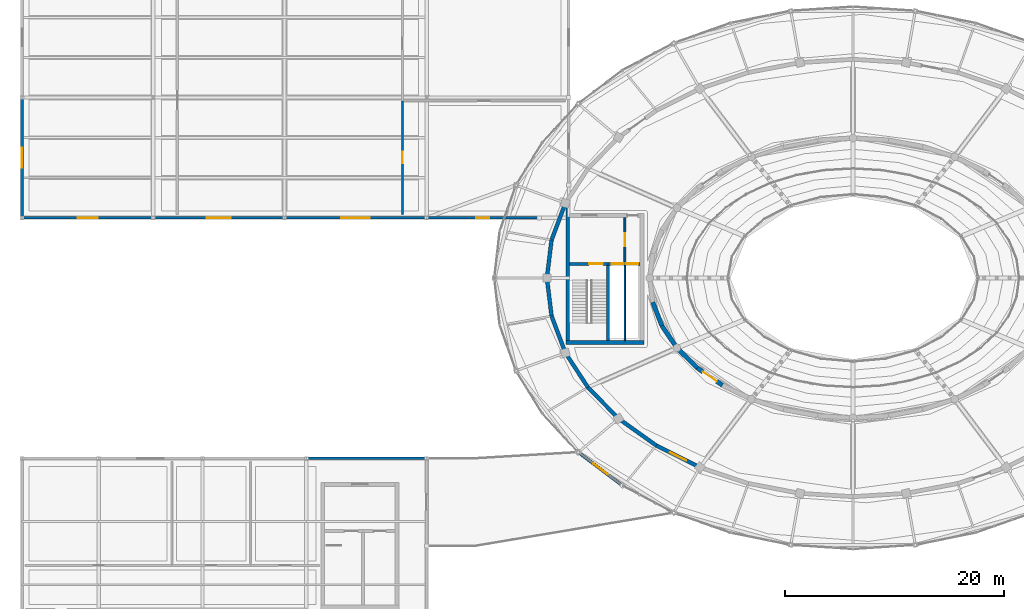
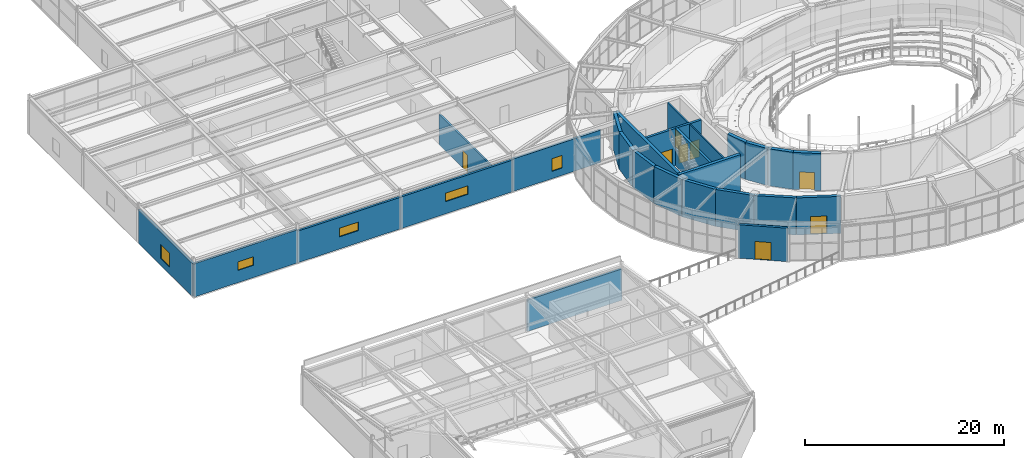
# One storey, part 88 of 108: 27 walls, 8 doors, 5 windows, 13 openings.
"""IFC4 building model written with IfcOpenShell, lengths in metres."""

import ifcopenshell
import ifcopenshell.guid

model = None  # the IFC model being written
_history = None  # IfcOwnerHistory: only IFC2X3 demands one
_inside = {}  # id of a spatial element -> (the spatial element, [elements in it])
_under = {}  # id of a project, library or spatial element -> (it, [spatial elements below it])
_declared = {}  # id of a project -> (the project, [libraries it declares])
_typed = {}  # id of a type object -> (the type object, [elements of that type])
_made_of = {}  # id of a material, layer set ... -> (it, [elements and type objects made of it])


def new_model(schema):
    """Start an empty IFC model of exactly this schema.

    Asked for "IFC4X3", IfcOpenShell would pick the latest addendum, in which some entities
    have other attributes; the version numbers below select the first issue.
    IFC2X3 requires an IfcOwnerHistory on every rooted entity: one is made here for all.
    """
    global model, _history
    if schema == "IFC4X3":
        model = ifcopenshell.file(schema_version=(4, 3, 0, 0))
    else:
        model = ifcopenshell.file(schema=schema)
    _inside.clear()
    _under.clear()
    _declared.clear()
    _typed.clear()
    _made_of.clear()
    _history = None
    if model.schema == "IFC2X3":
        org = make("IfcOrganization", Name="unknown")
        user = make(
            "IfcPersonAndOrganization",
            ThePerson=make("IfcPerson", FamilyName="unknown"),
            TheOrganization=org,
        )
        app = make(
            "IfcApplication",
            ApplicationDeveloper=org,
            Version="unknown",
            ApplicationFullName="unknown",
            ApplicationIdentifier="unknown",
        )
        _history = make(
            "IfcOwnerHistory",
            OwningUser=user,
            OwningApplication=app,
            ChangeAction="ADDED",
            CreationDate=0,
        )
    return model


def make(cls, **values):
    """One entity of the class cls with the attributes given. An attribute that is None is left unset."""
    return model.create_entity(
        cls, **{name: value for name, value in values.items() if value is not None}
    )


def rooted(cls, **values):
    """An entity with a GlobalId (a new one), such as an element, a storey or a relation."""
    return make(cls, GlobalId=ifcopenshell.guid.new(), OwnerHistory=_history, **values)


def si_unit(unit_type, name, prefix=None):
    """IfcSIUnit, for example si_unit("LENGTHUNIT", "METRE", prefix="MILLI")."""
    return make("IfcSIUnit", UnitType=unit_type, Prefix=prefix, Name=name)


def assignment(units):
    """IfcUnitAssignment: the units of a project."""
    return None if units is None else make("IfcUnitAssignment", Units=units)


def point(xyz):
    """IfcCartesianPoint."""
    return None if xyz is None else make("IfcCartesianPoint", Coordinates=xyz)


def direction(xyz):
    """IfcDirection."""
    return None if xyz is None else make("IfcDirection", DirectionRatios=xyz)


def frame(location, z_axis=None, x_axis=None):
    """IfcAxis2Placement3D, a coordinate frame: its origin and axes. An axis left out is left unset."""
    return make(
        "IfcAxis2Placement3D",
        Location=point(location),
        Axis=direction(z_axis),
        RefDirection=direction(x_axis),
    )


def frame_2d(location, x_axis=None):
    """IfcAxis2Placement2D, a coordinate frame in the plane: its origin and x axis."""
    return make(
        "IfcAxis2Placement2D", Location=point(location), RefDirection=direction(x_axis)
    )


def origin():
    """The frame at (0, 0, 0) with its axes left unset."""
    return frame((0.0, 0.0, 0.0))


def place(relative_to, where):
    """IfcLocalPlacement: puts the frame where relative to a parent placement (None: the world)."""
    return make(
        "IfcLocalPlacement", PlacementRelTo=relative_to, RelativePlacement=where
    )


def context(
    kind, dimensions, precision=None, world=None, true_north=None, identifier=None
):
    """IfcGeometricRepresentationContext, for example the 3D "Model" context."""
    return make(
        "IfcGeometricRepresentationContext",
        ContextIdentifier=identifier,
        ContextType=kind,
        CoordinateSpaceDimension=dimensions,
        Precision=precision,
        WorldCoordinateSystem=world,
        TrueNorth=true_north,
    )


def subcontext(parent, identifier, kind, view, scale=None):
    """IfcGeometricRepresentationSubContext, for example "Body" below "Model"."""
    return make(
        "IfcGeometricRepresentationSubContext",
        ContextIdentifier=identifier,
        ContextType=kind,
        ParentContext=parent,
        TargetScale=scale,
        TargetView=view,
    )


def project(units=None, contexts=None):
    """IfcProject with its units and contexts."""
    return rooted(
        "IfcProject",
        Name="project",
        RepresentationContexts=contexts,
        UnitsInContext=assignment(units),
    )


def spatial(cls, under=None, at=None, **own):
    """A site, building, storey or space (cls), placed at a placement, below another one or the project."""
    s = rooted(cls, ObjectPlacement=at, **own)
    if under is not None:
        _under.setdefault(under.id(), (under, []))[1].append(s)
    return s


def profile(cls, at=None, kind="AREA", **sizes):
    """A parametric profile (cls). Its sizes go by their IFC names, for example OverallWidth=200.0."""
    return make(cls, ProfileType=kind, Position=at, **sizes)


def rectangle(**sizes):
    """IfcRectangleProfileDef."""
    return profile("IfcRectangleProfileDef", **sizes)


def extrude(swept, where, along, depth):
    """IfcExtrudedAreaSolid: the profile swept, set in the frame where, extruded along a direction by depth."""
    return make(
        "IfcExtrudedAreaSolid",
        SweptArea=swept,
        Position=where,
        ExtrudedDirection=direction(along),
        Depth=depth,
    )


def shape(context_of_items, identifier, shape_type, items):
    """IfcShapeRepresentation: the items that make up one representation, for example the "Body"."""
    return make(
        "IfcShapeRepresentation",
        ContextOfItems=context_of_items,
        RepresentationIdentifier=identifier,
        RepresentationType=shape_type,
        Items=items,
    )


def material(Name=None, Category=None):
    """IfcMaterial."""
    return make("IfcMaterial", Name=Name, Category=Category)


def layer(
    of_material, thickness, ventilated=None, Name=None, Category=None, Priority=None
):
    """IfcMaterialLayer: one layer of a wall or slab, of a material (None: an air gap)."""
    return make(
        "IfcMaterialLayer",
        Material=of_material,
        LayerThickness=thickness,
        IsVentilated=ventilated,
        Name=Name,
        Category=Category,
        Priority=Priority,
    )


def layer_set(layers, Name=None):
    """IfcMaterialLayerSet."""
    return make("IfcMaterialLayerSet", MaterialLayers=layers, LayerSetName=Name)


def made_of(thing, what):
    """Note that an element or type object is made of a material, layer set ...; save() writes the relation."""
    if what is not None:
        _made_of.setdefault(what.id(), (what, []))[1].append(thing)
    return thing


def type_object(cls, material=None, **own):
    """A type object (cls), such as IfcWallType, which elements share."""
    return made_of(rooted(cls, **own), material)


def element(
    cls,
    number,
    at=None,
    inside=None,
    cuts=None,
    type_object=None,
    material=None,
    context=None,
    identifier="Body",
    shape_type=None,
    held_by="IfcProductDefinitionShape",
    body=None,
    shapes=None,
    **own,
):
    """One element of the class cls, such as IfcWall. Its Tag is "e" and its number.

    at: its placement. inside: the storey or other place that contains it. cuts: it is an
    opening in that element (IfcRelVoidsElement). A single representation is given by context,
    identifier, shape_type and body (its items); several are given by shapes. held_by: the class
    of the entity that holds the representations. save() writes the other relations.
    """
    e = rooted(cls, Tag="e%d" % number, ObjectPlacement=at, **own)
    if body is not None:
        shapes = [shape(context, identifier, shape_type, body)]
    if shapes is not None:
        e.Representation = make(held_by, Representations=shapes)
    if inside is not None:
        _inside.setdefault(inside.id(), (inside, []))[1].append(e)
    if cuts is not None:
        rooted(
            "IfcRelVoidsElement", RelatingBuildingElement=cuts, RelatedOpeningElement=e
        )
    if type_object is not None:
        _typed.setdefault(type_object.id(), (type_object, []))[1].append(e)
    return made_of(e, material)


def fill(opening, filler):
    """IfcRelFillsElement: the door or window that sits in an opening."""
    return rooted(
        "IfcRelFillsElement",
        RelatingOpeningElement=opening,
        RelatedBuildingElement=filler,
    )


def aggregate(whole, parts):
    """IfcRelAggregates: a whole, such as a stair, and the parts it consists of."""
    return rooted("IfcRelAggregates", RelatingObject=whole, RelatedObjects=parts)


def save(model, path):
    """Write the relations noted so far, then the file.

    IfcRelAggregates (storeys below a building ...), IfcRelContainedInSpatialStructure (elements
    in a storey), IfcRelDefinesByType, IfcRelAssociatesMaterial and IfcRelDeclares: one each for
    every whole, place, type object, material and project.
    """
    for whole, parts in _under.values():
        aggregate(whole, parts)
    for where, things in _inside.values():
        rooted(
            "IfcRelContainedInSpatialStructure",
            RelatedElements=things,
            RelatingStructure=where,
        )
    for kind, things in _typed.values():
        rooted("IfcRelDefinesByType", RelatedObjects=things, RelatingType=kind)
    for what, things in _made_of.values():
        rooted("IfcRelAssociatesMaterial", RelatedObjects=things, RelatingMaterial=what)
    for by, libraries in _declared.values():
        rooted("IfcRelDeclares", RelatingContext=by, RelatedDefinitions=libraries)
    model.write(path)


model = new_model("IFC4")

# Units and contexts
model_context = context("Model", 3, precision=1e-05, world=origin(), true_north=direction((0.0, 1.0)))
body_context = subcontext(model_context, "Body", "Model", "MODEL_VIEW")
ifc_project = project(units=[si_unit("LENGTHUNIT", "METRE"), si_unit("AREAUNIT", "SQUARE_METRE"), si_unit("VOLUMEUNIT", "CUBIC_METRE"), si_unit("PLANEANGLEUNIT", "RADIAN"), si_unit("MASSUNIT", "GRAM", prefix="KILO")], contexts=[model_context])

# Site, building, storey
site_placement = place(None, origin())
site = spatial("IfcSite", under=ifc_project, at=site_placement, CompositionType="ELEMENT")
building_placement = place(site_placement, origin())
building = spatial("IfcBuilding", under=site, at=building_placement, Name="Tarnveldt Headland Concert Hall", CompositionType="ELEMENT")
storey_placement = place(building_placement, frame((0.0, 0.0, 9.60009765625)))
storey = spatial("IfcBuildingStorey", under=building, at=storey_placement, Name="L02", CompositionType="ELEMENT", Elevation=9.60009765625)

# Walls
ifc_material_1 = material(Name="Concrete C40/50", Category="concrete")
ifc_layer_1 = layer(ifc_material_1, 0.39990234375, Name="Concrete C40/50", Category="concrete")
ifc_layer_set_1 = layer_set([ifc_layer_1], Name="Concrete C40/50")
wall_type_1 = type_object("IfcWallType", Name="WL-AC400", PredefinedType="SOLIDWALL", material=ifc_layer_set_1)
wall_1_placement = place(storey_placement, frame((65.1826171875, 52.27734375, 0.0), z_axis=(0.0, 0.0, 1.0), x_axis=(0.362802811216, -0.931865934657, 0.0)))
element("IfcWall", 1, at=wall_1_placement, inside=storey, type_object=wall_type_1, Name="Acoustic inner box wall L02-20", PredefinedType="SOLIDWALL", context=body_context, shape_type="SweptSolid", body=[
    extrude(rectangle(XDim=2.312744140625, YDim=0.39990234375, at=frame_2d((1.15625, 0.0))), origin(), (0.0, 0.0, 1.0), 4.5498046875),
])
wall_2_placement = place(storey_placement, frame((66.021728515625, 50.1220703125, 0.0), z_axis=(0.0, 0.0, 1.0), x_axis=(0.560958648975, -0.827843822312, 0.0)))
element("IfcWall", 2, at=wall_2_placement, inside=storey, type_object=wall_type_1, Name="Acoustic inner box wall L02-21", PredefinedType="SOLIDWALL", context=body_context, shape_type="SweptSolid", body=[
    extrude(rectangle(XDim=2.4423828125, YDim=0.39990234375, at=frame_2d((1.22119140625, 0.0))), origin(), (0.0, 0.0, 1.0), 4.5498046875),
])
wall_3_placement = place(storey_placement, frame((67.391845703125, 48.10009765625, 0.0), z_axis=(0.0, 0.0, 1.0), x_axis=(0.713212431679, -0.700947949065, 0.0)))
element("IfcWall", 3, at=wall_3_placement, inside=storey, type_object=wall_type_1, Name="Acoustic inner box wall L02-22", PredefinedType="SOLIDWALL", context=body_context, shape_type="SweptSolid", body=[
    extrude(rectangle(XDim=2.607666015625, YDim=0.39990234375, at=frame_2d((1.3037109375, 0.0))), origin(), (0.0, 0.0, 1.0), 4.5498046875),
])

# Wall, opening, door
wall_4_placement = place(storey_placement, frame((69.251708984375, 46.272216796875, 0.0), z_axis=(0.0, 0.0, 1.0), x_axis=(0.823780742291, -0.566908536388, 0.0)))
wall_4 = element("IfcWall", 4, at=wall_4_placement, inside=storey, type_object=wall_type_1, Name="Acoustic inner box wall L02-23", PredefinedType="SOLIDWALL", context=body_context, shape_type="SweptSolid", body=[
    extrude(rectangle(XDim=2.782958984375, YDim=0.39990234375, at=frame_2d((1.3916015625, 0.0))), origin(), (0.0, 0.0, 1.0), 4.5498046875),
])
opening_1_placement = place(wall_4_placement, frame((0.616455078125, 0.0, 0.0)))
opening_1 = element("IfcOpeningElement", 5, at=opening_1_placement, cuts=wall_4, Name="Opening AD-I039", PredefinedType="OPENING", context=body_context, shape_type="SweptSolid", body=[
    extrude(rectangle(XDim=1.550048828125, YDim=2.179931640625, at=frame_2d((0.77490234375, 1.08984375))), frame((0.0, 0.2099609375, 0.0), z_axis=(0.0, -1.0, 0.0), x_axis=(1.0, 0.0, 0.0)), (0.0, 0.0, 1.0), 0.419921875),
])
ifc_material_2 = material(Name="Treated East African mvule hardwood", Category="wood")
door_type_1 = type_object("IfcDoorType", Name="DR-AC155", OperationType="NOTDEFINED", PredefinedType="DOOR", material=ifc_material_2)
door_1_placement = place(opening_1_placement, origin())
door_1 = element("IfcDoor", 6, at=door_1_placement, inside=storey, type_object=door_type_1, Name="Auditorium sound-lock vomitory door L02-23", OperationType="SINGLE_SWING_LEFT", OverallHeight=2.179931640625, OverallWidth=1.550048828125, PredefinedType="DOOR", context=body_context, shape_type="SweptSolid", body=[
    extrude(rectangle(XDim=1.550048828125, YDim=2.179931640625, at=frame_2d((0.77490234375, 1.08984375))), frame((0.0, 0.02490234375, 0.0), z_axis=(0.0, -1.0, 0.0), x_axis=(1.0, 0.0, 0.0)), (0.0, 0.0, 1.0), 0.050048828125),
])
fill(opening_1, door_1)

# Walls
ifc_layer_2 = layer(ifc_material_1, 0.35009765625, Name="Concrete C40/50", Category="concrete")
ifc_layer_set_2 = layer_set([ifc_layer_2], Name="Concrete C40/50")
wall_type_2 = type_object("IfcWallType", Name="WL-CR350", PredefinedType="SHEAR", material=ifc_layer_set_2)
wall_5_placement = place(storey_placement, frame((57.188720703125, 61.34033203125, 0.0), z_axis=(0.0, 0.0, 1.0), x_axis=(-0.351279653979, -0.936270583058, 0.0)))
element("IfcWall", 7, at=wall_5_placement, inside=storey, type_object=wall_type_2, Name="Symphony drum shear wall L02-17", PredefinedType="SHEAR", context=body_context, shape_type="SweptSolid", body=[
    extrude(rectangle(XDim=3.5966796875, YDim=0.35009765625, at=frame_2d((1.79833984375, 0.0))), origin(), (0.0, 0.0, 1.0), 4.5498046875),
])
for number, where, z_axis, x_axis, name in (
    (8, (55.92529296875, 57.972900390625, 0.0), (0.0, 0.0, 1.0), (-0.121552414401, -0.99258501427, 0.0), "Symphony drum shear wall L02-18"),
    (9, (55.5, 54.5, 0.0), (0.0, 0.0, 1.0), (0.121552414401, -0.99258501427, 0.0), "Symphony drum shear wall L02-19"),
):
    element("IfcWall", number, at=place(storey_placement, frame(where, z_axis=z_axis, x_axis=x_axis)), inside=storey, type_object=wall_type_2, Name=name, PredefinedType="SHEAR", context=body_context, shape_type="SweptSolid", body=[
        extrude(rectangle(XDim=3.498779296875, YDim=0.35009765625, at=frame_2d((1.74951171875, 0.0))), origin(), (0.0, 0.0, 1.0), 4.5498046875),
    ])
wall_6_placement = place(storey_placement, frame((55.92529296875, 51.027099609375, 0.0), z_axis=(0.0, 0.0, 1.0), x_axis=(0.351279653979, -0.936270583058, 0.0)))
element("IfcWall", 10, at=wall_6_placement, inside=storey, type_object=wall_type_2, Name="Symphony drum shear wall L02-20", PredefinedType="SHEAR", context=body_context, shape_type="SweptSolid", body=[
    extrude(rectangle(XDim=3.5966796875, YDim=0.35009765625, at=frame_2d((1.79833984375, 0.0))), origin(), (0.0, 0.0, 1.0), 4.5498046875),
])
wall_7_placement = place(storey_placement, frame((57.188720703125, 47.65966796875, 0.0), z_axis=(0.0, 0.0, 1.0), x_axis=(0.546611158382, -0.837386554425, 0.0)))
element("IfcWall", 11, at=wall_7_placement, inside=storey, type_object=wall_type_2, Name="Symphony drum shear wall L02-21", PredefinedType="SHEAR", context=body_context, shape_type="SweptSolid", body=[
    extrude(rectangle(XDim=3.773193359375, YDim=0.35009765625, at=frame_2d((1.88671875, 0.0))), origin(), (0.0, 0.0, 1.0), 4.5498046875),
])
wall_8_placement = place(storey_placement, frame((59.251220703125, 44.5, 0.0), z_axis=(0.0, 0.0, 1.0), x_axis=(0.700051268358, -0.714092586203, 0.0)))
element("IfcWall", 12, at=wall_8_placement, inside=storey, type_object=wall_type_2, Name="Symphony drum shear wall L02-22", PredefinedType="SHEAR", context=body_context, shape_type="SweptSolid", body=[
    extrude(rectangle(XDim=3.9990234375, YDim=0.35009765625, at=frame_2d((1.99951171875, 0.0))), origin(), (0.0, 0.0, 1.0), 4.5498046875),
])
wall_9_placement = place(storey_placement, frame((62.05078125, 41.644287109375, 0.0), z_axis=(0.0, 0.0, 1.0), x_axis=(0.813737360708, -0.581232748378, 0.0)))
element("IfcWall", 13, at=wall_9_placement, inside=storey, type_object=wall_type_2, Name="Symphony drum shear wall L02-23", PredefinedType="SHEAR", context=body_context, shape_type="SweptSolid", body=[
    extrude(rectangle(XDim=4.2412109375, YDim=0.35009765625, at=frame_2d((2.12060546875, 0.0))), origin(), (0.0, 0.0, 1.0), 4.5498046875),
])

# Wall, opening, door
wall_10_placement = place(storey_placement, frame((65.501953125, 39.17919921875, 0.0), z_axis=(0.0, 0.0, 1.0), x_axis=(0.894361644392, -0.447344664705, 0.0)))
wall_10 = element("IfcWall", 14, at=wall_10_placement, inside=storey, type_object=wall_type_2, Name="Symphony drum shear wall L02-24", PredefinedType="SHEAR", context=body_context, shape_type="SweptSolid", body=[
    extrude(rectangle(XDim=4.47021484375, YDim=0.35009765625, at=frame_2d((2.235107421875, 0.0))), origin(), (0.0, 0.0, 1.0), 4.5498046875),
])
opening_2_placement = place(wall_10_placement, frame((1.41015625, 0.0, 0.0)))
opening_2 = element("IfcOpeningElement", 15, at=opening_2_placement, cuts=wall_10, Name="Opening AD-O022", PredefinedType="OPENING", context=body_context, shape_type="SweptSolid", body=[
    extrude(rectangle(XDim=1.64990234375, YDim=2.199951171875, at=frame_2d((0.824951171875, 1.10009765625))), frame((0.0, 0.18505859375, 0.0), z_axis=(0.0, -1.0, 0.0), x_axis=(1.0, 0.0, 0.0)), (0.0, 0.0, 1.0), 0.3701171875),
])
door_type_2 = type_object("IfcDoorType", Name="DR-AC165", OperationType="NOTDEFINED", PredefinedType="DOOR", material=ifc_material_2)
door_2_placement = place(opening_2_placement, origin())
door_2 = element("IfcDoor", 16, at=door_2_placement, inside=storey, type_object=door_type_2, Name="Drum concourse acoustic door L02-24", OperationType="SINGLE_SWING_RIGHT", OverallHeight=2.199951171875, OverallWidth=1.64990234375, PredefinedType="DOOR", context=body_context, shape_type="SweptSolid", body=[
    extrude(rectangle(XDim=1.64990234375, YDim=2.199951171875, at=frame_2d((0.824951171875, 1.10009765625))), frame((0.0, 0.02490234375, 0.0), z_axis=(0.0, -1.0, 0.0), x_axis=(1.0, 0.0, 0.0)), (0.0, 0.0, 1.0), 0.050048828125),
])
fill(opening_2, door_2)

# Walls
wall_11_placement = place(storey_placement, frame((57.22509765625, 48.60009765625, 0.0), z_axis=(0.0, 0.0, 1.0), x_axis=(1.0, 0.0, 0.0)))
element("IfcWall", 17, at=wall_11_placement, inside=storey, type_object=wall_type_2, Name="Core C1 south shear wall L02", PredefinedType="SHEAR", context=body_context, shape_type="SweptSolid", body=[
    extrude(rectangle(XDim=7.14990234375, YDim=0.35009765625, at=frame_2d((3.574951171875, 0.0))), origin(), (0.0, 0.0, 1.0), 4.5498046875),
])
wall_12_placement = place(storey_placement, frame((57.39990234375, 48.77490234375, 0.0), z_axis=(0.0, 0.0, 1.0), x_axis=(0.0, 1.0, 0.0)))
element("IfcWall", 18, at=wall_12_placement, inside=storey, type_object=wall_type_2, Name="Core C1 west shear wall L02", PredefinedType="SHEAR", context=body_context, shape_type="SweptSolid", body=[
    extrude(rectangle(XDim=12.565185546875, YDim=0.35009765625, at=frame_2d((6.28271484375, 0.0))), origin(), (0.0, 0.0, 1.0), 4.5498046875),
])
ifc_material_3 = material(Name="Coral-toned precast concrete C40/50", Category="concrete")
ifc_layer_3 = layer(ifc_material_3, 0.219970703125, Name="Coral-toned precast concrete C40/50", Category="concrete")
ifc_layer_set_3 = layer_set([ifc_layer_3], Name="Coral-toned precast concrete C40/50")
wall_type_3 = type_object("IfcWallType", Name="WL-EX220", PredefinedType="SOLIDWALL", material=ifc_layer_set_3)
wall_13_placement = place(storey_placement, frame((33.52001953125, 38.0, 0.0), z_axis=(0.0, 0.0, 1.0), x_axis=(1.0, 0.0, 0.0)))
element("IfcWall", 19, at=wall_13_placement, inside=storey, type_object=wall_type_3, Name="External precast wall L02-234", PredefinedType="SOLIDWALL", context=body_context, shape_type="SweptSolid", body=[
    extrude(rectangle(XDim=10.9599609375, YDim=0.219970703125, at=frame_2d((5.47998046875, 0.0))), origin(), (0.0, 0.0, 1.0), 3.847900390625),
])

# Wall, opening, window
ifc_layer_4 = layer(ifc_material_3, 0.25, Name="Coral-toned precast concrete C40/50", Category="concrete")
ifc_layer_set_4 = layer_set([ifc_layer_4], Name="Coral-toned precast concrete C40/50")
wall_type_4 = type_object("IfcWallType", Name="WL-EX250", PredefinedType="SOLIDWALL", material=ifc_layer_set_4)
wall_14_placement = place(storey_placement, frame((19.47998046875, 60.0, 0.0), z_axis=(0.0, 0.0, 1.0), x_axis=(-1.0, 0.0, 0.0)))
wall_14 = element("IfcWall", 20, at=wall_14_placement, inside=storey, type_object=wall_type_4, Name="External precast wall L02-296", PredefinedType="SOLIDWALL", context=body_context, shape_type="SweptSolid", body=[
    extrude(rectangle(XDim=11.9599609375, YDim=0.25, at=frame_2d((5.97998046875, 0.0))), origin(), (0.0, 0.0, 1.0), 4.087890625),
])
opening_3_placement = place(wall_14_placement, frame((5.080078125, 0.0, 1.5)))
opening_3 = element("IfcOpeningElement", 21, at=opening_3_placement, cuts=wall_14, Name="Opening W-R131", PredefinedType="OPENING", context=body_context, shape_type="SweptSolid", body=[
    extrude(rectangle(XDim=1.800048828125, YDim=1.050048828125, at=frame_2d((0.89990234375, 0.52490234375))), frame((0.0, 0.135009765625, 0.0), z_axis=(0.0, -1.0, 0.0), x_axis=(1.0, 0.0, 0.0)), (0.0, 0.0, 1.0), 0.27001953125),
])
ifc_material_4 = material(Name="Acoustic laminated low-iron double glazing", Category="glass")
window_type_1 = type_object("IfcWindowType", Name="WN-24", PartitioningType="SINGLE_PANEL", PredefinedType="WINDOW", material=ifc_material_4)
window_1_placement = place(opening_3_placement, origin())
window_1 = element("IfcWindow", 22, at=window_1_placement, inside=storey, type_object=window_type_1, Name="Rehearsal wing acoustic window L02-S1", OverallHeight=1.050048828125, OverallWidth=1.800048828125, PartitioningType="SINGLE_PANEL", PredefinedType="WINDOW", context=body_context, shape_type="SweptSolid", body=[
    extrude(rectangle(XDim=1.800048828125, YDim=1.050048828125, at=frame_2d((0.89990234375, 0.52490234375))), frame((0.0, 0.030029296875, 0.0), z_axis=(0.0, -1.0, 0.0), x_axis=(1.0, 0.0, 0.0)), (0.0, 0.0, 1.0), 0.06005859375),
])
fill(opening_3, window_1)

wall_15_placement = place(storey_placement, frame((31.47998046875, 60.0, 0.0), z_axis=(0.0, 0.0, 1.0), x_axis=(-1.0, 0.0, 0.0)))
wall_15 = element("IfcWall", 23, at=wall_15_placement, inside=storey, type_object=wall_type_4, Name="External precast wall L02-297", PredefinedType="SOLIDWALL", context=body_context, shape_type="SweptSolid", body=[
    extrude(rectangle(XDim=11.9599609375, YDim=0.25, at=frame_2d((5.97998046875, 0.0))), origin(), (0.0, 0.0, 1.0), 3.887939453125),
])
opening_4_placement = place(wall_15_placement, frame((4.8798828125, 0.0, 1.5)))
opening_4 = element("IfcOpeningElement", 24, at=opening_4_placement, cuts=wall_15, Name="Opening W-R132", PredefinedType="OPENING", context=body_context, shape_type="SweptSolid", body=[
    extrude(rectangle(XDim=2.199951171875, YDim=1.050048828125, at=frame_2d((1.10009765625, 0.52490234375))), frame((0.0, 0.135009765625, 0.0), z_axis=(0.0, -1.0, 0.0), x_axis=(1.0, 0.0, 0.0)), (0.0, 0.0, 1.0), 0.27001953125),
])
window_type_2 = type_object("IfcWindowType", Name="WN-25", PartitioningType="SINGLE_PANEL", PredefinedType="WINDOW", material=ifc_material_4)
window_2_placement = place(opening_4_placement, origin())
window_2 = element("IfcWindow", 25, at=window_2_placement, inside=storey, type_object=window_type_2, Name="Rehearsal wing acoustic window L02-S2", OverallHeight=1.050048828125, OverallWidth=2.199951171875, PartitioningType="SINGLE_PANEL", PredefinedType="WINDOW", context=body_context, shape_type="SweptSolid", body=[
    extrude(rectangle(XDim=2.199951171875, YDim=1.050048828125, at=frame_2d((1.10009765625, 0.52490234375))), frame((0.0, 0.030029296875, 0.0), z_axis=(0.0, -1.0, 0.0), x_axis=(1.0, 0.0, 0.0)), (0.0, 0.0, 1.0), 0.06005859375),
])
fill(opening_4, window_2)

wall_16_placement = place(storey_placement, frame((44.47998046875, 60.0, 0.0), z_axis=(0.0, 0.0, 1.0), x_axis=(-1.0, 0.0, 0.0)))
wall_16 = element("IfcWall", 26, at=wall_16_placement, inside=storey, type_object=wall_type_4, Name="External precast wall L02-298", PredefinedType="SOLIDWALL", context=body_context, shape_type="SweptSolid", body=[
    extrude(rectangle(XDim=12.9599609375, YDim=0.25, at=frame_2d((6.47998046875, 0.0))), origin(), (0.0, 0.0, 1.0), 3.887939453125),
])
opening_5_placement = place(wall_16_placement, frame((5.179931640625, 0.0, 1.5)))
opening_5 = element("IfcOpeningElement", 27, at=opening_5_placement, cuts=wall_16, Name="Opening W-R133", PredefinedType="OPENING", context=body_context, shape_type="SweptSolid", body=[
    extrude(rectangle(XDim=2.60009765625, YDim=1.050048828125, at=frame_2d((1.300048828125, 0.52490234375))), frame((0.0, 0.135009765625, 0.0), z_axis=(0.0, -1.0, 0.0), x_axis=(1.0, 0.0, 0.0)), (0.0, 0.0, 1.0), 0.27001953125),
])
window_type_3 = type_object("IfcWindowType", Name="WN-26", PartitioningType="SINGLE_PANEL", PredefinedType="WINDOW", material=ifc_material_4)
window_3_placement = place(opening_5_placement, origin())
window_3 = element("IfcWindow", 28, at=window_3_placement, inside=storey, type_object=window_type_3, Name="Rehearsal wing acoustic window L02-S3", OverallHeight=1.050048828125, OverallWidth=2.60009765625, PartitioningType="SINGLE_PANEL", PredefinedType="WINDOW", context=body_context, shape_type="SweptSolid", body=[
    extrude(rectangle(XDim=2.60009765625, YDim=1.050048828125, at=frame_2d((1.300048828125, 0.52490234375))), frame((0.0, 0.030029296875, 0.0), z_axis=(0.0, -1.0, 0.0), x_axis=(1.0, 0.0, 0.0)), (0.0, 0.0, 1.0), 0.06005859375),
])
fill(opening_5, window_3)

wall_17_placement = place(storey_placement, frame((54.780029296875, 60.0, 0.0), z_axis=(0.0, 0.0, 1.0), x_axis=(-1.0, 0.0, 0.0)))
wall_17 = element("IfcWall", 29, at=wall_17_placement, inside=storey, type_object=wall_type_4, Name="External precast wall L02-299", PredefinedType="SOLIDWALL", context=body_context, shape_type="SweptSolid", body=[
    extrude(rectangle(XDim=10.260009765625, YDim=0.25, at=frame_2d((5.1298828125, 0.0))), origin(), (0.0, 0.0, 1.0), 3.98779296875),
])
opening_6_placement = place(wall_17_placement, frame((4.530029296875, 0.0, 0.89990234375)))
opening_6 = element("IfcOpeningElement", 30, at=opening_6_placement, cuts=wall_17, Name="Opening W-R134", PredefinedType="OPENING", context=body_context, shape_type="SweptSolid", body=[
    extrude(rectangle(XDim=1.199951171875, YDim=1.550048828125, at=frame_2d((0.60009765625, 0.77490234375))), frame((0.0, 0.135009765625, 0.0), z_axis=(0.0, -1.0, 0.0), x_axis=(1.0, 0.0, 0.0)), (0.0, 0.0, 1.0), 0.27001953125),
])
window_type_4 = type_object("IfcWindowType", Name="WN-01", PartitioningType="SINGLE_PANEL", PredefinedType="WINDOW", material=ifc_material_4)
window_4_placement = place(opening_6_placement, origin())
window_4 = element("IfcWindow", 31, at=window_4_placement, inside=storey, type_object=window_type_4, Name="Rehearsal wing acoustic window L02-S4", OverallHeight=1.550048828125, OverallWidth=1.199951171875, PartitioningType="SINGLE_PANEL", PredefinedType="WINDOW", context=body_context, shape_type="SweptSolid", body=[
    extrude(rectangle(XDim=1.199951171875, YDim=1.550048828125, at=frame_2d((0.60009765625, 0.77490234375))), frame((0.0, 0.030029296875, 0.0), z_axis=(0.0, -1.0, 0.0), x_axis=(1.0, 0.0, 0.0)), (0.0, 0.0, 1.0), 0.06005859375),
])
fill(opening_6, window_4)

wall_18_placement = place(storey_placement, frame((7.5, 60.02001953125, 0.0), z_axis=(0.0, 0.0, 1.0), x_axis=(0.0, 1.0, 0.0)))
wall_18 = element("IfcWall", 32, at=wall_18_placement, inside=storey, type_object=wall_type_4, Name="External precast wall L02-311", PredefinedType="SOLIDWALL", context=body_context, shape_type="SweptSolid", body=[
    extrude(rectangle(XDim=10.9599609375, YDim=0.25, at=frame_2d((5.47998046875, 0.0))), origin(), (0.0, 0.0, 1.0), 4.087890625),
])
opening_7_placement = place(wall_18_placement, frame((4.580078125, 0.0, 0.85009765625)))
opening_7 = element("IfcOpeningElement", 33, at=opening_7_placement, cuts=wall_18, Name="Opening W-R145", PredefinedType="OPENING", context=body_context, shape_type="SweptSolid", body=[
    extrude(rectangle(XDim=1.800048828125, YDim=1.699951171875, at=frame_2d((0.89990234375, 0.85009765625))), frame((0.0, 0.135009765625, 0.0), z_axis=(0.0, -1.0, 0.0), x_axis=(1.0, 0.0, 0.0)), (0.0, 0.0, 1.0), 0.27001953125),
])
window_type_5 = type_object("IfcWindowType", Name="WN-12", PartitioningType="SINGLE_PANEL", PredefinedType="WINDOW", material=ifc_material_4)
window_5_placement = place(opening_7_placement, origin())
window_5 = element("IfcWindow", 34, at=window_5_placement, inside=storey, type_object=window_type_5, Name="Rehearsal wing acoustic window L02-W3", OverallHeight=1.699951171875, OverallWidth=1.800048828125, PartitioningType="SINGLE_PANEL", PredefinedType="WINDOW", context=body_context, shape_type="SweptSolid", body=[
    extrude(rectangle(XDim=1.800048828125, YDim=1.699951171875, at=frame_2d((0.89990234375, 0.85009765625))), frame((0.0, 0.030029296875, 0.0), z_axis=(0.0, -1.0, 0.0), x_axis=(1.0, 0.0, 0.0)), (0.0, 0.0, 1.0), 0.06005859375),
])
fill(opening_7, window_5)

# Wall, opening, door
ifc_layer_5 = layer(ifc_material_3, 0.27490234375, Name="Coral-toned precast concrete C40/50", Category="concrete")
ifc_layer_set_5 = layer_set([ifc_layer_5], Name="Coral-toned precast concrete C40/50")
wall_type_5 = type_object("IfcWallType", Name="WL-EX275", PredefinedType="SOLIDWALL", material=ifc_layer_set_5)
wall_19_placement = place(storey_placement, frame((62.400634765625, 35.51416015625, 0.0), z_axis=(0.0, 0.0, 1.0), x_axis=(-0.797657622226, 0.60311053523, 0.0)))
wall_19 = element("IfcWall", 35, at=wall_19_placement, inside=storey, type_object=wall_type_5, Name="External precast wall L02-46", PredefinedType="SOLIDWALL", context=body_context, shape_type="SweptSolid", body=[
    extrude(rectangle(XDim=5.028564453125, YDim=0.27490234375, at=frame_2d((2.51416015625, 0.0))), origin(), (0.0, 0.0, 1.0), 4.10791015625),
])
opening_8_placement = place(wall_19_placement, frame((1.714111328125, 0.0, 0.0)))
opening_8 = element("IfcOpeningElement", 36, at=opening_8_placement, cuts=wall_19, Name="Opening TD-02", PredefinedType="OPENING", context=body_context, shape_type="SweptSolid", body=[
    extrude(rectangle(XDim=1.60009765625, YDim=2.199951171875, at=frame_2d((0.800048828125, 1.10009765625))), frame((0.0, 0.1474609375, 0.0), z_axis=(0.0, -1.0, 0.0), x_axis=(1.0, 0.0, 0.0)), (0.0, 0.0, 1.0), 0.294921875),
])
ifc_material_5 = material(Name="Marine-anodised aluminium EN AW-6063-T6", Category="aluminium")
door_type_3 = type_object("IfcDoorType", Name="DR-TR160", OperationType="NOTDEFINED", PredefinedType="DOOR", material=ifc_material_5)
door_3_placement = place(opening_8_placement, origin())
door_3 = element("IfcDoor", 37, at=door_3_placement, inside=storey, type_object=door_type_3, Name="Link lookout terrace east door", OperationType="DOUBLE_DOOR_SINGLE_SWING", OverallHeight=2.199951171875, OverallWidth=1.60009765625, PredefinedType="DOOR", context=body_context, shape_type="SweptSolid", body=[
    extrude(rectangle(XDim=1.60009765625, YDim=2.199951171875, at=frame_2d((0.800048828125, 1.10009765625))), frame((0.0, 0.02490234375, 0.0), z_axis=(0.0, -1.0, 0.0), x_axis=(1.0, 0.0, 0.0)), (0.0, 0.0, 1.0), 0.050048828125),
])
fill(opening_8, door_3)

# Wall
ifc_material_6 = material(Name="Acoustic multi-layer gypsum and mineral-wool partition", Category="gypsum")
ifc_layer_6 = layer(ifc_material_6, 0.14990234375, Name="Acoustic multi-layer gypsum and mineral-wool partition", Category="gypsum")
ifc_layer_set_6 = layer_set([ifc_layer_6], Name="Acoustic multi-layer gypsum and mineral-wool partition")
wall_type_6 = type_object("IfcWallType", Name="WL-PT150", PredefinedType="PARTITIONING", material=ifc_layer_set_6)
wall_20_placement = place(storey_placement, frame((62.632568359375, 48.77490234375, 0.0), z_axis=(0.0, 0.0, 1.0), x_axis=(0.0, 1.0, 0.0)))
element("IfcWall", 38, at=wall_20_placement, inside=storey, type_object=wall_type_6, Name="Core C1 twin lift divider L02", PredefinedType="PARTITIONING", context=body_context, shape_type="SweptSolid", body=[
    extrude(rectangle(XDim=6.8251953125, YDim=0.14990234375, at=frame_2d((3.41259765625, 0.0))), origin(), (0.0, 0.0, 1.0), 4.5439453125),
])

# Wall, opening, door
ifc_layer_7 = layer(ifc_material_6, 0.1650390625, Name="Acoustic multi-layer gypsum and mineral-wool partition", Category="gypsum")
ifc_layer_set_7 = layer_set([ifc_layer_7], Name="Acoustic multi-layer gypsum and mineral-wool partition")
wall_type_7 = type_object("IfcWallType", Name="WL-PT165", PredefinedType="PARTITIONING", material=ifc_layer_set_7)
wall_21_placement = place(storey_placement, frame((62.632568359375, 55.97998046875, 0.0), z_axis=(0.0, 0.0, 1.0), x_axis=(0.0, 1.0, 0.0)))
wall_21 = element("IfcWall", 39, at=wall_21_placement, inside=storey, type_object=wall_type_7, Name="Core C1 firefighting lobby wall L02", PredefinedType="PARTITIONING", context=body_context, shape_type="SweptSolid", body=[
    extrude(rectangle(XDim=4.0400390625, YDim=0.1650390625, at=frame_2d((2.02001953125, 0.0))), origin(), (0.0, 0.0, 1.0), 4.5439453125),
])
opening_9_placement = place(wall_21_placement, frame((1.419921875, 0.0, 0.0)))
opening_9 = element("IfcOpeningElement", 40, at=opening_9_placement, cuts=wall_21, Name="Opening FFD-C1I-L02", PredefinedType="OPENING", context=body_context, shape_type="SweptSolid", body=[
    extrude(rectangle(XDim=1.199951171875, YDim=2.14990234375, at=frame_2d((0.60009765625, 1.074951171875))), frame((0.0, 0.092529296875, 0.0), z_axis=(0.0, -1.0, 0.0), x_axis=(1.0, 0.0, 0.0)), (0.0, 0.0, 1.0), 0.18505859375),
])
ifc_material_7 = material(Name="Galvanised painted steel sheet", Category="steel")
door_type_4 = type_object("IfcDoorType", Name="DR-ST120", OperationType="NOTDEFINED", PredefinedType="DOOR", material=ifc_material_7)
door_4_placement = place(opening_9_placement, origin())
door_4 = element("IfcDoor", 41, at=door_4_placement, inside=storey, type_object=door_type_4, Name="Core C1 lobby interconnecting fire door L02", OperationType="SINGLE_SWING_RIGHT", OverallHeight=2.14990234375, OverallWidth=1.199951171875, PredefinedType="DOOR", context=body_context, shape_type="SweptSolid", body=[
    extrude(rectangle(XDim=1.199951171875, YDim=2.14990234375, at=frame_2d((0.60009765625, 1.074951171875))), frame((0.0, 0.02490234375, 0.0), z_axis=(0.0, -1.0, 0.0), x_axis=(1.0, 0.0, 0.0)), (0.0, 0.0, 1.0), 0.050048828125),
])
fill(opening_9, door_4)

ifc_layer_8 = layer(ifc_material_6, 0.18505859375, Name="Acoustic multi-layer gypsum and mineral-wool partition", Category="gypsum")
ifc_layer_set_8 = layer_set([ifc_layer_8], Name="Acoustic multi-layer gypsum and mineral-wool partition")
wall_type_8 = type_object("IfcWallType", Name="WL-PT185", PredefinedType="PARTITIONING", material=ifc_layer_set_8)
wall_22_placement = place(storey_placement, frame((42.300048828125, 60.300048828125, 0.0), z_axis=(0.0, 0.0, 1.0), x_axis=(0.0, 1.0, 0.0)))
wall_22 = element("IfcWall", 42, at=wall_22_placement, inside=storey, type_object=wall_type_8, Name="Interior acoustic partition L02-93", PredefinedType="PARTITIONING", context=body_context, shape_type="SweptSolid", body=[
    extrude(rectangle(XDim=10.39990234375, YDim=0.18505859375, at=frame_2d((5.199951171875, 0.0))), origin(), (0.0, 0.0, 1.0), 3.739990234375),
])
opening_10_placement = place(wall_22_placement, frame((4.675048828125, 0.0, 0.0)))
opening_10 = element("IfcOpeningElement", 43, at=opening_10_placement, cuts=wall_22, Name="Opening D-L02-115", PredefinedType="OPENING", context=body_context, shape_type="SweptSolid", body=[
    extrude(rectangle(XDim=1.050048828125, YDim=2.14990234375, at=frame_2d((0.52490234375, 1.074951171875))), frame((0.0, 0.1025390625, 0.0), z_axis=(0.0, -1.0, 0.0), x_axis=(1.0, 0.0, 0.0)), (0.0, 0.0, 1.0), 0.205078125),
])
door_type_5 = type_object("IfcDoorType", Name="DR-RM105", OperationType="NOTDEFINED", PredefinedType="DOOR", material=ifc_material_2)
door_5_placement = place(opening_10_placement, origin())
door_5 = element("IfcDoor", 44, at=door_5_placement, inside=storey, type_object=door_type_5, Name="Interior room door L02-115", OperationType="SINGLE_SWING_LEFT", OverallHeight=2.14990234375, OverallWidth=1.050048828125, PredefinedType="DOOR", context=body_context, shape_type="SweptSolid", body=[
    extrude(rectangle(XDim=1.050048828125, YDim=2.14990234375, at=frame_2d((0.52490234375, 1.074951171875))), frame((0.0, 0.02490234375, 0.0), z_axis=(0.0, -1.0, 0.0), x_axis=(1.0, 0.0, 0.0)), (0.0, 0.0, 1.0), 0.050048828125),
])
fill(opening_10, door_5)

# Wall
ifc_layer_9 = layer(ifc_material_1, 0.27490234375, Name="Concrete C40/50", Category="concrete")
ifc_layer_set_9 = layer_set([ifc_layer_9], Name="Concrete C40/50")
wall_type_9 = type_object("IfcWallType", Name="WL-SH275", PredefinedType="SHEAR", material=ifc_layer_set_9)
wall_23_placement = place(storey_placement, frame((61.10009765625, 48.77490234375, 0.0), z_axis=(0.0, 0.0, 1.0), x_axis=(0.0, 1.0, 0.0)))
element("IfcWall", 45, at=wall_23_placement, inside=storey, type_object=wall_type_9, Name="Core C1 shaft divider wall L02", PredefinedType="SHEAR", context=body_context, shape_type="SweptSolid", body=[
    extrude(rectangle(XDim=6.8876953125, YDim=0.27490234375, at=frame_2d((3.44384765625, 0.0))), origin(), (0.0, 0.0, 1.0), 4.5498046875),
])

# Wall, opening, door
wall_24_placement = place(storey_placement, frame((57.574951171875, 55.800048828125, 0.0), z_axis=(0.0, 0.0, 1.0), x_axis=(1.0, 0.0, 0.0)))
wall_24 = element("IfcWall", 46, at=wall_24_placement, inside=storey, type_object=wall_type_9, Name="Core C1 stair enclosure wall L02", PredefinedType="SHEAR", context=body_context, shape_type="SweptSolid", body=[
    extrude(rectangle(XDim=3.525146484375, YDim=0.27490234375, at=frame_2d((1.7626953125, 0.0))), origin(), (0.0, 0.0, 1.0), 4.5498046875),
])
opening_11_placement = place(wall_24_placement, frame((1.784912109375, 0.0, 0.0)))
opening_11 = element("IfcOpeningElement", 47, at=opening_11_placement, cuts=wall_24, Name="Opening SD-C1-L02", PredefinedType="OPENING", context=body_context, shape_type="SweptSolid", body=[
    extrude(rectangle(XDim=1.25, YDim=2.14990234375, at=frame_2d((0.625, 1.074951171875))), frame((0.0, 0.1474609375, 0.0), z_axis=(0.0, -1.0, 0.0), x_axis=(1.0, 0.0, 0.0)), (0.0, 0.0, 1.0), 0.294921875),
])
door_type_6 = type_object("IfcDoorType", Name="DR-ST125", OperationType="NOTDEFINED", PredefinedType="DOOR", material=ifc_material_7)
door_6_placement = place(opening_11_placement, origin())
door_6 = element("IfcDoor", 48, at=door_6_placement, inside=storey, type_object=door_type_6, Name="Core C1 stair fire door L02", OperationType="SINGLE_SWING_RIGHT", OverallHeight=2.14990234375, OverallWidth=1.25, PredefinedType="DOOR", context=body_context, shape_type="SweptSolid", body=[
    extrude(rectangle(XDim=1.25, YDim=2.14990234375, at=frame_2d((0.625, 1.074951171875))), frame((0.0, 0.02490234375, 0.0), z_axis=(0.0, -1.0, 0.0), x_axis=(1.0, 0.0, 0.0)), (0.0, 0.0, 1.0), 0.050048828125),
])
fill(opening_11, door_6)

# Wall, openings, doors
wall_25_placement = place(storey_placement, frame((61.10009765625, 55.800048828125, 0.0), z_axis=(0.0, 0.0, 1.0), x_axis=(1.0, 0.0, 0.0)))
wall_25 = element("IfcWall", 49, at=wall_25_placement, inside=storey, type_object=wall_type_9, Name="Core C1 lift shaft front wall L02", PredefinedType="SHEAR", context=body_context, shape_type="SweptSolid", body=[
    extrude(rectangle(XDim=2.9248046875, YDim=0.27490234375, at=frame_2d((1.46240234375, 0.0))), origin(), (0.0, 0.0, 1.0), 4.5498046875),
])
opening_12_placement = place(wall_25_placement, frame((0.320068359375, 0.0, 0.0)))
opening_12 = element("IfcOpeningElement", 50, at=opening_12_placement, cuts=wall_25, Name="Opening LD-FFL-01-L02", PredefinedType="OPENING", context=body_context, shape_type="SweptSolid", body=[
    extrude(rectangle(XDim=1.10009765625, YDim=2.14990234375, at=frame_2d((0.550048828125, 1.074951171875))), frame((0.0, 0.1474609375, 0.0), z_axis=(0.0, -1.0, 0.0), x_axis=(1.0, 0.0, 0.0)), (0.0, 0.0, 1.0), 0.294921875),
])
opening_13_placement = place(wall_25_placement, frame((1.64501953125, 0.0, 0.0)))
opening_13 = element("IfcOpeningElement", 51, at=opening_13_placement, cuts=wall_25, Name="Opening LD-LP-01-L02", PredefinedType="OPENING", context=body_context, shape_type="SweptSolid", body=[
    extrude(rectangle(XDim=1.10009765625, YDim=2.14990234375, at=frame_2d((0.550048828125, 1.074951171875))), frame((0.0, 0.1474609375, 0.0), z_axis=(0.0, -1.0, 0.0), x_axis=(1.0, 0.0, 0.0)), (0.0, 0.0, 1.0), 0.294921875),
])
door_type_7 = type_object("IfcDoorType", Name="LD-110", OperationType="NOTDEFINED", PredefinedType="DOOR", material=ifc_material_7)
door_7_placement = place(opening_12_placement, origin())
door_7 = element("IfcDoor", 52, at=door_7_placement, inside=storey, type_object=door_type_7, Name="Lift FFL-01 sliding landing door L02", OperationType="DOUBLE_DOOR_SLIDING", OverallHeight=2.14990234375, OverallWidth=1.10009765625, PredefinedType="DOOR", context=body_context, shape_type="SweptSolid", body=[
    extrude(rectangle(XDim=1.10009765625, YDim=2.14990234375, at=frame_2d((0.550048828125, 1.074951171875))), frame((0.0, 0.02490234375, 0.0), z_axis=(0.0, -1.0, 0.0), x_axis=(1.0, 0.0, 0.0)), (0.0, 0.0, 1.0), 0.050048828125),
])
fill(opening_12, door_7)
door_8_placement = place(opening_13_placement, origin())
door_8 = element("IfcDoor", 53, at=door_8_placement, inside=storey, type_object=door_type_7, Name="Lift LP-01 sliding landing door L02", OperationType="DOUBLE_DOOR_SLIDING", OverallHeight=2.14990234375, OverallWidth=1.10009765625, PredefinedType="DOOR", context=body_context, shape_type="SweptSolid", body=[
    extrude(rectangle(XDim=1.10009765625, YDim=2.14990234375, at=frame_2d((0.550048828125, 1.074951171875))), frame((0.0, 0.02490234375, 0.0), z_axis=(0.0, -1.0, 0.0), x_axis=(1.0, 0.0, 0.0)), (0.0, 0.0, 1.0), 0.050048828125),
])
fill(opening_13, door_8)

save(model, "model.ifc")
